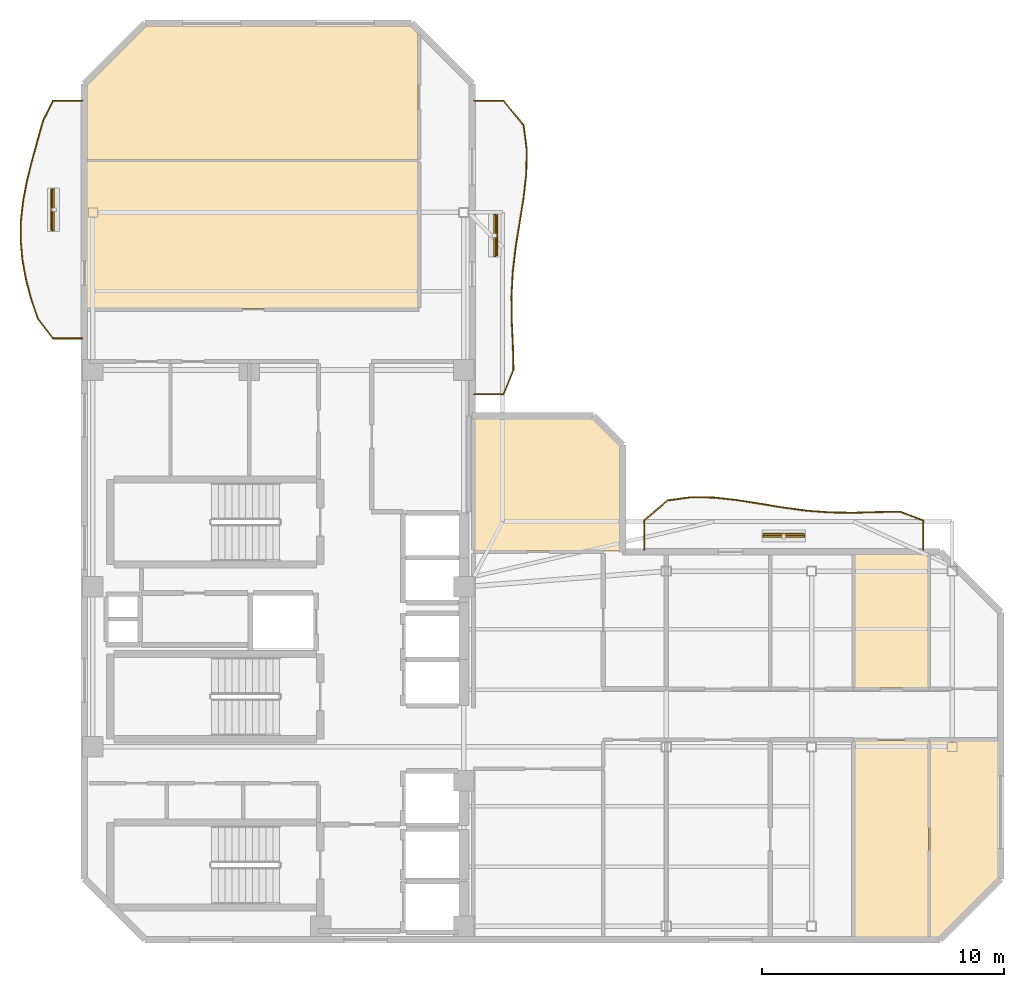
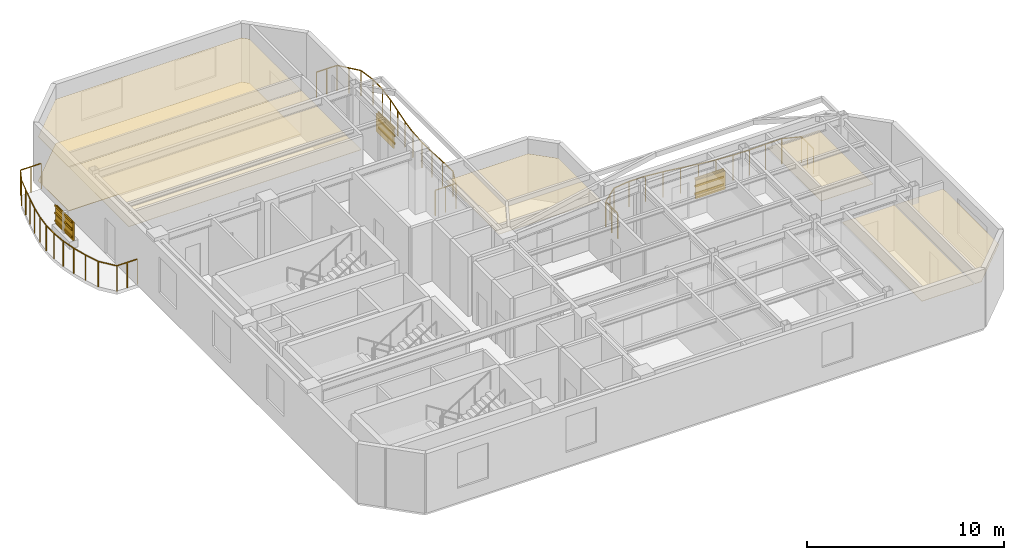
# One storey, part 7 of 7: 12 shading devices, 7 coverings, 3 railings.
"""IFC4 building model written with IfcOpenShell, lengths in metres."""

from ifc_helpers import new_model, si_unit, direction, frame, origin, origin_2d, place, context, subcontext, project, spatial, polyline, rectangle, outline, extrude, material, layer, layer_set, material_profile, profile_set, type_object, element, save


model = new_model("IFC4")

# Units and contexts
model_context = context("Model", 3, precision=1e-05, world=origin(), true_north=direction((0.0, 1.0)))
body_context = subcontext(model_context, "Body", "Model", "MODEL_VIEW")
ifc_project = project(units=[si_unit("LENGTHUNIT", "METRE"), si_unit("AREAUNIT", "SQUARE_METRE"), si_unit("VOLUMEUNIT", "CUBIC_METRE"), si_unit("PLANEANGLEUNIT", "RADIAN"), si_unit("MASSUNIT", "GRAM", prefix="KILO")], contexts=[model_context])

# Site, building, storey
site_placement = place(None, origin())
site = spatial("IfcSite", under=ifc_project, at=site_placement, CompositionType="ELEMENT")
building_placement = place(site_placement, origin())
building = spatial("IfcBuilding", under=site, at=building_placement, Name="Mawjaban Terraces University", CompositionType="ELEMENT")
storey_placement = place(building_placement, frame((0.0, 0.0, 283.300048828125)))
storey = spatial("IfcBuildingStorey", under=building, at=storey_placement, Name="L69", CompositionType="ELEMENT", Elevation=283.300048828125)

# Coverings
ifc_material_1 = material(Name="Acoustic mineral fibre ceiling tile", Category="masonry")
ifc_layer_1 = layer(ifc_material_1, 0.02001953125)
ifc_layer_set_1 = layer_set([ifc_layer_1], Name="Acoustic mineral fibre ceiling tile")
covering_type_1 = type_object("IfcCoveringType", Name="AcousticMineralCeiling_20", PredefinedType="CEILING", material=ifc_layer_set_1)
covering_1_placement = place(storey_placement, frame((0.0, 0.0, 2.75)))
element("IfcCovering", 1, at=covering_1_placement, inside=storey, type_object=covering_type_1, Name="L69 Teaching Laboratory 8 Acoustic Ceiling", PredefinedType="CEILING", context=body_context, shape_type="SweptSolid", body=[
    extrude(outline(polyline([(53.761962890625, 0.114990234375), (56.818115234375, 0.114990234375), (56.818115234375, 8.219970703125), (53.761962890625, 8.219970703125), (53.761962890625, 0.114990234375)])), origin(), (0.0, 0.0, 1.0), 0.02001953125),
])
covering_2_placement = place(storey_placement, frame((0.0, 0.0, 2.75)))
element("IfcCovering", 2, at=covering_2_placement, inside=storey, type_object=covering_type_1, Name="L69 Student Tea Pantry 9 Acoustic Ceiling", PredefinedType="CEILING", context=body_context, shape_type="SweptSolid", body=[
    extrude(outline(polyline([(56.818115234375, 15.885009765625), (53.761962890625, 15.885009765625), (53.761962890625, 10.3798828125), (56.818115234375, 10.3798828125), (56.818115234375, 15.885009765625)])), origin(), (0.0, 0.0, 1.0), 0.02001953125),
])
covering_3_placement = place(storey_placement, frame((0.0, 0.0, 2.75)))
element("IfcCovering", 3, at=covering_3_placement, inside=storey, type_object=covering_type_1, Name="L69 Student Tea Pantry 10 Acoustic Ceiling", PredefinedType="CEILING", context=body_context, shape_type="SweptSolid", body=[
    extrude(outline(polyline([(56.8779296875, 0.114990234375), (57.2529296875, 0.114990234375), (59.68505859375, 2.547119140625), (59.68505859375, 8.219970703125), (56.8779296875, 8.219970703125), (56.8779296875, 0.114990234375)])), origin(), (0.0, 0.0, 1.0), 0.02001953125),
])
covering_4_placement = place(storey_placement, frame((0.0, 0.0, 2.75)))
element("IfcCovering", 4, at=covering_4_placement, inside=storey, type_object=covering_type_1, Name="L69 Departmental Office 12 Acoustic Ceiling", PredefinedType="CEILING", context=body_context, shape_type="SweptSolid", body=[
    extrude(outline(polyline([(22.114990234375, 32.10595703125), (22.114990234375, 26.030029296875), (35.77001953125, 26.030029296875), (35.77001953125, 32.10595703125), (22.114990234375, 32.10595703125)])), origin(), (0.0, 0.0, 1.0), 0.02001953125),
])
covering_5_placement = place(storey_placement, frame((0.0, 0.0, 2.75)))
element("IfcCovering", 5, at=covering_5_placement, inside=storey, type_object=covering_type_1, Name="L69 Classroom 13 Acoustic Ceiling", PredefinedType="CEILING", context=body_context, shape_type="SweptSolid", body=[
    extrude(outline(polyline([(35.77001953125, 37.367919921875), (35.452880859375, 37.68505859375), (24.547119140625, 37.68505859375), (22.114990234375, 35.2529296875), (22.114990234375, 32.166015625), (35.77001953125, 32.166015625), (35.77001953125, 37.367919921875)])), origin(), (0.0, 0.0, 1.0), 0.02001953125),
])
covering_6_placement = place(storey_placement, frame((0.0, 0.0, 2.75)))
element("IfcCovering", 6, at=covering_6_placement, inside=storey, type_object=covering_type_1, Name="L69 Terrace Collaborative Study Room Acoustic Ceiling", PredefinedType="CEILING", context=body_context, shape_type="SweptSolid", body=[
    extrude(outline(polyline([(44.0849609375, 16.030029296875), (44.0849609375, 20.35302734375), (42.952880859375, 21.485107421875), (38.080078125, 21.485107421875), (38.080078125, 16.030029296875), (44.0849609375, 16.030029296875)])), origin(), (0.0, 0.0, 1.0), 0.02001953125),
])

# Railings
ifc_material_2 = material(Name="Galvanised powder-coated steel S355", Category="steel")
railing_type = type_object("IfcRailingType", Name="BalconyBalustrade_1600", PredefinedType="BALUSTRADE", material=ifc_material_2)
railing_1_placement = place(storey_placement, frame((21.919921875, 24.800048828125, 0.0)))
element("IfcRailing", 7, at=railing_1_placement, inside=storey, type_object=railing_type, Name="L69 Balcony Guardrail west", PredefinedType="BALUSTRADE", context=body_context, shape_type="SweptSolid", body=[
    extrude(rectangle(XDim=0.048095703125, YDim=0.048095703125, at=origin_2d()), frame((0.0, 0.0, 1.576171875), z_axis=(-1.0, 0.0, 0.0), x_axis=(0.0, -1.0, 0.0)), (0.0, 0.0, 1.0), 1.219970703125),
    extrude(rectangle(XDim=0.048095703125, YDim=0.048095703125, at=origin_2d()), frame((-1.219970703125, 0.0, 1.576171875), z_axis=(-0.607643916951, 0.794209588328, 0.0), x_axis=(-0.794209588328, -0.607643916951, 0.0)), (0.0, 0.0, 1.0), 1.028564453125),
    extrude(rectangle(XDim=0.048095703125, YDim=0.048095703125, at=origin_2d()), frame((-1.844970703125, 0.81689453125, 1.576171875), z_axis=(-0.319202789652, 0.947686434998, 0.0), x_axis=(-0.947686434998, -0.319202789652, 0.0)), (0.0, 0.0, 1.0), 0.861328125),
    extrude(rectangle(XDim=0.048095703125, YDim=0.048095703125, at=origin_2d()), frame((-2.119873046875, 1.633056640625, 1.576171875), z_axis=(-0.254621331748, 0.967040835445, 0.0), x_axis=(-0.967040835445, -0.254621331748, 0.0)), (0.0, 0.0, 1.0), 0.8447265625),
    extrude(rectangle(XDim=0.048095703125, YDim=0.048095703125, at=origin_2d()), frame((-2.3349609375, 2.449951171875, 1.576171875), z_axis=(-0.179351143094, 0.983785122611, 0.0), x_axis=(-0.983785122611, -0.179351143094, 0.0)), (0.0, 0.0, 1.0), 0.830322265625),
    extrude(rectangle(XDim=0.048095703125, YDim=0.048095703125, at=origin_2d()), frame((-2.48388671875, 3.266845703125, 1.576171875), z_axis=(-0.084352789258, 0.996435952254, 0.0), x_axis=(-0.996435952254, -0.084352789258, 0.0)), (0.0, 0.0, 1.0), 0.819091796875),
    extrude(rectangle(XDim=0.048095703125, YDim=0.048095703125, at=origin_2d()), frame((-2.552978515625, 4.0830078125, 1.576171875), z_axis=(0.017331526681, 0.999849797811, 0.0), x_axis=(-0.999849797811, 0.017331526681, 0.0)), (0.0, 0.0, 1.0), 0.817138671875),
    extrude(rectangle(XDim=0.048095703125, YDim=0.048095703125, at=origin_2d()), frame((-2.538818359375, 4.89990234375, 1.576171875), z_axis=(0.115446380199, 0.993313713435, 0.0), x_axis=(-0.993313713435, 0.115446380199, 0.0)), (0.0, 0.0, 1.0), 0.82275390625),
    extrude(rectangle(XDim=0.048095703125, YDim=0.048095703125, at=origin_2d()), frame((-2.44384765625, 5.717041015625, 1.576171875), z_axis=(0.191199817075, 0.981551134659, 0.0), x_axis=(-0.981551134659, 0.191199817075, 0.0)), (0.0, 0.0, 1.0), 0.831298828125),
    extrude(rectangle(XDim=0.048095703125, YDim=0.048095703125, at=origin_2d()), frame((-2.284912109375, 6.532958984375, 1.576171875), z_axis=(0.24239917503, 0.970176602452, 0.0), x_axis=(-0.970176602452, 0.24239917503, 0.0)), (0.0, 0.0, 1.0), 0.842041015625),
    extrude(rectangle(XDim=0.048095703125, YDim=0.048095703125, at=origin_2d()), frame((-2.080810546875, 7.349853515625, 1.576171875), z_axis=(0.265310472902, 0.964163032359, 0.0), x_axis=(-0.964163032359, 0.265310472902, 0.0)), (0.0, 0.0, 1.0), 0.847412109375),
    extrude(rectangle(XDim=0.048095703125, YDim=0.048095703125, at=origin_2d()), frame((-1.85595703125, 8.1669921875, 1.576171875), z_axis=(0.270228279677, 0.962796280042, 0.0), x_axis=(-0.962796280042, 0.270228279677, 0.0)), (0.0, 0.0, 1.0), 0.847412109375),
    extrude(rectangle(XDim=0.048095703125, YDim=0.048095703125, at=origin_2d()), frame((-1.626953125, 8.98291015625, 1.576171875), z_axis=(0.445822367278, 0.895121453678, 0.0), x_axis=(-0.895121453678, 0.445822367278, 0.0)), (0.0, 0.0, 1.0), 0.912841796875),
    extrude(rectangle(XDim=0.048095703125, YDim=0.048095703125, at=origin_2d()), frame((-1.219970703125, 9.800048828125, 1.576171875), z_axis=(1.0, 0.0, 0.0), x_axis=(0.0, 1.0, 0.0)), (0.0, 0.0, 1.0), 1.219970703125),
    extrude(rectangle(XDim=0.0419921875, YDim=0.0419921875, at=origin_2d()), origin(), (0.0, 0.0, 1.0), 1.552001953125),
    extrude(rectangle(XDim=0.0419921875, YDim=0.0419921875, at=origin_2d()), frame((-0.60986328125, 0.0, 0.0)), (0.0, 0.0, 1.0), 1.552001953125),
    extrude(rectangle(XDim=0.0419921875, YDim=0.0419921875, at=origin_2d()), frame((-1.219970703125, 0.0, 0.0)), (0.0, 0.0, 1.0), 1.552001953125),
    extrude(rectangle(XDim=0.0419921875, YDim=0.0419921875, at=origin_2d()), frame((-1.844970703125, 0.81689453125, 0.0)), (0.0, 0.0, 1.0), 1.552001953125),
    extrude(rectangle(XDim=0.0419921875, YDim=0.0419921875, at=origin_2d()), frame((-2.119873046875, 1.633056640625, 0.0)), (0.0, 0.0, 1.0), 1.552001953125),
    extrude(rectangle(XDim=0.0419921875, YDim=0.0419921875, at=origin_2d()), frame((-2.3349609375, 2.449951171875, 0.0)), (0.0, 0.0, 1.0), 1.552001953125),
    extrude(rectangle(XDim=0.0419921875, YDim=0.0419921875, at=origin_2d()), frame((-2.48388671875, 3.266845703125, 0.0)), (0.0, 0.0, 1.0), 1.552001953125),
    extrude(rectangle(XDim=0.0419921875, YDim=0.0419921875, at=origin_2d()), frame((-2.552978515625, 4.0830078125, 0.0)), (0.0, 0.0, 1.0), 1.552001953125),
    extrude(rectangle(XDim=0.0419921875, YDim=0.0419921875, at=origin_2d()), frame((-2.538818359375, 4.89990234375, 0.0)), (0.0, 0.0, 1.0), 1.552001953125),
    extrude(rectangle(XDim=0.0419921875, YDim=0.0419921875, at=origin_2d()), frame((-2.44384765625, 5.717041015625, 0.0)), (0.0, 0.0, 1.0), 1.552001953125),
    extrude(rectangle(XDim=0.0419921875, YDim=0.0419921875, at=origin_2d()), frame((-2.284912109375, 6.532958984375, 0.0)), (0.0, 0.0, 1.0), 1.552001953125),
    extrude(rectangle(XDim=0.0419921875, YDim=0.0419921875, at=origin_2d()), frame((-2.080810546875, 7.349853515625, 0.0)), (0.0, 0.0, 1.0), 1.552001953125),
    extrude(rectangle(XDim=0.0419921875, YDim=0.0419921875, at=origin_2d()), frame((-1.85595703125, 8.1669921875, 0.0)), (0.0, 0.0, 1.0), 1.552001953125),
    extrude(rectangle(XDim=0.0419921875, YDim=0.0419921875, at=origin_2d()), frame((-1.626953125, 8.98291015625, 0.0)), (0.0, 0.0, 1.0), 1.552001953125),
    extrude(rectangle(XDim=0.0419921875, YDim=0.0419921875, at=origin_2d()), frame((-1.219970703125, 9.800048828125, 0.0)), (0.0, 0.0, 1.0), 1.552001953125),
    extrude(rectangle(XDim=0.0419921875, YDim=0.0419921875, at=origin_2d()), frame((-0.60986328125, 9.800048828125, 0.0)), (0.0, 0.0, 1.0), 1.552001953125),
    extrude(rectangle(XDim=0.0419921875, YDim=0.0419921875, at=origin_2d()), frame((0.0, 9.800048828125, 0.0)), (0.0, 0.0, 1.0), 1.552001953125),
])
railing_2_placement = place(storey_placement, frame((45.10009765625, 16.080078125, 0.0)))
element("IfcRailing", 8, at=railing_2_placement, inside=storey, type_object=railing_type, Name="L69 Balcony Guardrail inner_north", PredefinedType="BALUSTRADE", context=body_context, shape_type="SweptSolid", body=[
    extrude(rectangle(XDim=0.048095703125, YDim=0.048095703125, at=origin_2d()), frame((0.0, 0.0, 1.576171875), z_axis=(0.0, 1.0, 0.0), x_axis=(-1.0, 0.0, 0.0)), (0.0, 0.0, 1.0), 1.219970703125),
    extrude(rectangle(XDim=0.048095703125, YDim=0.048095703125, at=origin_2d()), frame((0.0, 1.219970703125, 1.576171875), z_axis=(0.760158380874, 0.649737820961, 0.0), x_axis=(-0.649737820961, 0.760158380874, 0.0)), (0.0, 0.0, 1.0), 1.26025390625),
    extrude(rectangle(XDim=0.048095703125, YDim=0.048095703125, at=origin_2d()), frame((0.9580078125, 2.038818359375, 1.576171875), z_axis=(0.990511352729, 0.137430928523, 0.0), x_axis=(-0.137430928523, 0.990511352729, 0.0)), (0.0, 0.0, 1.0), 0.96826171875),
    extrude(rectangle(XDim=0.048095703125, YDim=0.048095703125, at=origin_2d()), frame((1.9169921875, 2.171875, 1.576171875), z_axis=(0.999908798007, -0.013505394061, 0.0), x_axis=(0.013505394061, 0.999908798007, 0.0)), (0.0, 0.0, 1.0), 0.9580078125),
    extrude(rectangle(XDim=0.048095703125, YDim=0.048095703125, at=origin_2d()), frame((2.875, 2.158935546875, 1.576171875), z_axis=(0.994049424747, -0.108929982834, 0.0), x_axis=(0.108929982834, 0.994049424747, 0.0)), (0.0, 0.0, 1.0), 0.963623046875),
    extrude(rectangle(XDim=0.048095703125, YDim=0.048095703125, at=origin_2d()), frame((3.8330078125, 2.053955078125, 1.576171875), z_axis=(0.987498610793, -0.157627705949, 0.0), x_axis=(0.157627705949, 0.987498610793, 0.0)), (0.0, 0.0, 1.0), 0.97119140625),
    extrude(rectangle(XDim=0.048095703125, YDim=0.048095703125, at=origin_2d()), frame((4.7919921875, 1.90087890625, 1.576171875), z_axis=(0.986677863453, -0.162686181869, 0.0), x_axis=(0.162686181869, 0.986677863453, 0.0)), (0.0, 0.0, 1.0), 0.970947265625),
    extrude(rectangle(XDim=0.048095703125, YDim=0.048095703125, at=origin_2d()), frame((5.75, 1.742919921875, 1.576171875), z_axis=(0.991333489884, -0.131369371748, 0.0), x_axis=(0.131369371748, 0.991333489884, 0.0)), (0.0, 0.0, 1.0), 0.96630859375),
    extrude(rectangle(XDim=0.048095703125, YDim=0.048095703125, at=origin_2d()), frame((6.7080078125, 1.615966796875, 1.576171875), z_axis=(0.99726706168, -0.073881037411, 0.0), x_axis=(0.073881037411, 0.99726706168, 0.0)), (0.0, 0.0, 1.0), 0.961669921875),
    extrude(rectangle(XDim=0.048095703125, YDim=0.048095703125, at=origin_2d()), frame((7.6669921875, 1.544921875, 1.576171875), z_axis=(0.999908798007, -0.013505394061, 0.0), x_axis=(0.013505394061, 0.999908798007, 0.0)), (0.0, 0.0, 1.0), 0.9580078125),
    extrude(rectangle(XDim=0.048095703125, YDim=0.048095703125, at=origin_2d()), frame((8.625, 1.531982421875, 1.576171875), z_axis=(0.999607317535, 0.028021611857, 0.0), x_axis=(-0.028021611857, 0.999607317535, 0.0)), (0.0, 0.0, 1.0), 0.95849609375),
    extrude(rectangle(XDim=0.048095703125, YDim=0.048095703125, at=origin_2d()), frame((9.5830078125, 1.558837890625, 1.576171875), z_axis=(0.999858868821, 0.016800072643, 0.0), x_axis=(-0.016800072643, 0.999858868821, 0.0)), (0.0, 0.0, 1.0), 0.959228515625),
    extrude(rectangle(XDim=0.048095703125, YDim=0.048095703125, at=origin_2d()), frame((10.5419921875, 1.574951171875, 1.576171875), z_axis=(0.93769686411, -0.347454444551, 0.0), x_axis=(0.347454444551, 0.93769686411, 0.0)), (0.0, 0.0, 1.0), 1.021728515625),
    extrude(rectangle(XDim=0.048095703125, YDim=0.048095703125, at=origin_2d()), frame((11.5, 1.219970703125, 1.576171875), z_axis=(0.0, -1.0, 0.0), x_axis=(1.0, 0.0, 0.0)), (0.0, 0.0, 1.0), 1.219970703125),
    extrude(rectangle(XDim=0.0419921875, YDim=0.0419921875, at=origin_2d()), origin(), (0.0, 0.0, 1.0), 1.552001953125),
    extrude(rectangle(XDim=0.0419921875, YDim=0.0419921875, at=origin_2d()), frame((0.0, 0.60986328125, 0.0)), (0.0, 0.0, 1.0), 1.552001953125),
    extrude(rectangle(XDim=0.0419921875, YDim=0.0419921875, at=origin_2d()), frame((0.0, 1.219970703125, 0.0)), (0.0, 0.0, 1.0), 1.552001953125),
    extrude(rectangle(XDim=0.0419921875, YDim=0.0419921875, at=origin_2d()), frame((0.47900390625, 1.62939453125, 0.0)), (0.0, 0.0, 1.0), 1.552001953125),
    extrude(rectangle(XDim=0.0419921875, YDim=0.0419921875, at=origin_2d()), frame((0.9580078125, 2.038818359375, 0.0)), (0.0, 0.0, 1.0), 1.552001953125),
    extrude(rectangle(XDim=0.0419921875, YDim=0.0419921875, at=origin_2d()), frame((1.9169921875, 2.171875, 0.0)), (0.0, 0.0, 1.0), 1.552001953125),
    extrude(rectangle(XDim=0.0419921875, YDim=0.0419921875, at=origin_2d()), frame((2.875, 2.158935546875, 0.0)), (0.0, 0.0, 1.0), 1.552001953125),
    extrude(rectangle(XDim=0.0419921875, YDim=0.0419921875, at=origin_2d()), frame((3.8330078125, 2.053955078125, 0.0)), (0.0, 0.0, 1.0), 1.552001953125),
    extrude(rectangle(XDim=0.0419921875, YDim=0.0419921875, at=origin_2d()), frame((4.7919921875, 1.90087890625, 0.0)), (0.0, 0.0, 1.0), 1.552001953125),
    extrude(rectangle(XDim=0.0419921875, YDim=0.0419921875, at=origin_2d()), frame((5.75, 1.742919921875, 0.0)), (0.0, 0.0, 1.0), 1.552001953125),
    extrude(rectangle(XDim=0.0419921875, YDim=0.0419921875, at=origin_2d()), frame((6.7080078125, 1.615966796875, 0.0)), (0.0, 0.0, 1.0), 1.552001953125),
    extrude(rectangle(XDim=0.0419921875, YDim=0.0419921875, at=origin_2d()), frame((7.6669921875, 1.544921875, 0.0)), (0.0, 0.0, 1.0), 1.552001953125),
    extrude(rectangle(XDim=0.0419921875, YDim=0.0419921875, at=origin_2d()), frame((8.625, 1.531982421875, 0.0)), (0.0, 0.0, 1.0), 1.552001953125),
    extrude(rectangle(XDim=0.0419921875, YDim=0.0419921875, at=origin_2d()), frame((9.5830078125, 1.558837890625, 0.0)), (0.0, 0.0, 1.0), 1.552001953125),
    extrude(rectangle(XDim=0.0419921875, YDim=0.0419921875, at=origin_2d()), frame((10.5419921875, 1.574951171875, 0.0)), (0.0, 0.0, 1.0), 1.552001953125),
    extrude(rectangle(XDim=0.0419921875, YDim=0.0419921875, at=origin_2d()), frame((11.5, 1.219970703125, 0.0)), (0.0, 0.0, 1.0), 1.552001953125),
    extrude(rectangle(XDim=0.0419921875, YDim=0.0419921875, at=origin_2d()), frame((11.5, 0.60986328125, 0.0)), (0.0, 0.0, 1.0), 1.552001953125),
    extrude(rectangle(XDim=0.0419921875, YDim=0.0419921875, at=origin_2d()), frame((11.5, 0.0, 0.0)), (0.0, 0.0, 1.0), 1.552001953125),
])
railing_3_placement = place(storey_placement, frame((38.080078125, 22.5, 0.0)))
element("IfcRailing", 9, at=railing_3_placement, inside=storey, type_object=railing_type, Name="L69 Balcony Guardrail inner_east", PredefinedType="BALUSTRADE", context=body_context, shape_type="SweptSolid", body=[
    extrude(rectangle(XDim=0.048095703125, YDim=0.048095703125, at=origin_2d()), frame((0.0, 0.0, 1.576171875), z_axis=(1.0, 0.0, 0.0), x_axis=(0.0, 1.0, 0.0)), (0.0, 0.0, 1.0), 1.219970703125),
    extrude(rectangle(XDim=0.048095703125, YDim=0.048095703125, at=origin_2d()), frame((1.219970703125, 0.0, 1.576171875), z_axis=(0.372049489107, 0.928212894575, 0.0), x_axis=(-0.928212894575, 0.372049489107, 0.0)), (0.0, 0.0, 1.0), 1.0859375),
    extrude(rectangle(XDim=0.048095703125, YDim=0.048095703125, at=origin_2d()), frame((1.6240234375, 1.008056640625, 1.576171875), z_axis=(-0.024913629218, 0.999689607368, 0.0), x_axis=(-0.999689607368, -0.024913629218, 0.0)), (0.0, 0.0, 1.0), 1.00927734375),
    extrude(rectangle(XDim=0.048095703125, YDim=0.048095703125, at=origin_2d()), frame((1.598876953125, 2.01708984375, 1.576171875), z_axis=(-0.047427190102, 0.998874697667, 0.0), x_axis=(-0.998874697667, -0.047427190102, 0.0)), (0.0, 0.0, 1.0), 1.009033203125),
    extrude(rectangle(XDim=0.048095703125, YDim=0.048095703125, at=origin_2d()), frame((1.551025390625, 3.02490234375, 1.576171875), z_axis=(-0.009929275574, 0.999950703528, 0.0), x_axis=(-0.999950703528, -0.009929275574, 0.0)), (0.0, 0.0, 1.0), 1.008056640625),
    extrude(rectangle(XDim=0.048095703125, YDim=0.048095703125, at=origin_2d()), frame((1.541015625, 4.032958984375, 1.576171875), z_axis=(0.053395772473, 0.998573428187, 0.0), x_axis=(-0.998573428187, 0.053395772473, 0.0)), (0.0, 0.0, 1.0), 1.010498046875),
    extrude(rectangle(XDim=0.048095703125, YDim=0.048095703125, at=origin_2d()), frame((1.594970703125, 5.0419921875, 1.576171875), z_axis=(0.116185253501, 0.993227560466, 0.0), x_axis=(-0.993227560466, 0.116185253501, 0.0)), (0.0, 0.0, 1.0), 1.014892578125),
    extrude(rectangle(XDim=0.048095703125, YDim=0.048095703125, at=origin_2d()), frame((1.712890625, 6.050048828125, 1.576171875), z_axis=(0.156674956269, 0.987650220512, 0.0), x_axis=(-0.987650220512, 0.156674956269, 0.0)), (0.0, 0.0, 1.0), 1.020751953125),
    extrude(rectangle(XDim=0.048095703125, YDim=0.048095703125, at=origin_2d()), frame((1.872802734375, 7.05810546875, 1.576171875), z_axis=(0.158661457392, 0.987333045096, 0.0), x_axis=(-0.987333045096, 0.158661457392, 0.0)), (0.0, 0.0, 1.0), 1.021728515625),
    extrude(rectangle(XDim=0.048095703125, YDim=0.048095703125, at=origin_2d()), frame((2.034912109375, 8.06689453125, 1.576171875), z_axis=(0.114286204072, 0.993447866553, 0.0), x_axis=(-0.993447866553, 0.114286204072, 0.0)), (0.0, 0.0, 1.0), 1.0146484375),
    extrude(rectangle(XDim=0.048095703125, YDim=0.048095703125, at=origin_2d()), frame((2.15087890625, 9.074951171875, 1.576171875), z_axis=(0.020823771352, 0.999783161764, 0.0), x_axis=(-0.999783161764, 0.020823771352, 0.0)), (0.0, 0.0, 1.0), 1.00830078125),
    extrude(rectangle(XDim=0.048095703125, YDim=0.048095703125, at=origin_2d()), frame((2.171875, 10.0830078125, 1.576171875), z_axis=(-0.128610838483, 0.991695140769, 0.0), x_axis=(-0.991695140769, -0.128610838483, 0.0)), (0.0, 0.0, 1.0), 1.017578125),
    extrude(rectangle(XDim=0.048095703125, YDim=0.048095703125, at=origin_2d()), frame((2.041015625, 11.092041015625, 1.576171875), z_axis=(-0.63151828367, 0.775360985213, 0.0), x_axis=(-0.775360985213, -0.63151828367, 0.0)), (0.0, 0.0, 1.0), 1.300048828125),
    extrude(rectangle(XDim=0.048095703125, YDim=0.048095703125, at=origin_2d()), frame((1.219970703125, 12.10009765625, 1.576171875), z_axis=(-1.0, 0.0, 0.0), x_axis=(0.0, -1.0, 0.0)), (0.0, 0.0, 1.0), 1.219970703125),
    extrude(rectangle(XDim=0.0419921875, YDim=0.0419921875, at=origin_2d()), origin(), (0.0, 0.0, 1.0), 1.552001953125),
    extrude(rectangle(XDim=0.0419921875, YDim=0.0419921875, at=origin_2d()), frame((0.60986328125, 0.0, 0.0)), (0.0, 0.0, 1.0), 1.552001953125),
    extrude(rectangle(XDim=0.0419921875, YDim=0.0419921875, at=origin_2d()), frame((1.219970703125, 0.0, 0.0)), (0.0, 0.0, 1.0), 1.552001953125),
    extrude(rectangle(XDim=0.0419921875, YDim=0.0419921875, at=origin_2d()), frame((1.6240234375, 1.008056640625, 0.0)), (0.0, 0.0, 1.0), 1.552001953125),
    extrude(rectangle(XDim=0.0419921875, YDim=0.0419921875, at=origin_2d()), frame((1.598876953125, 2.01708984375, 0.0)), (0.0, 0.0, 1.0), 1.552001953125),
    extrude(rectangle(XDim=0.0419921875, YDim=0.0419921875, at=origin_2d()), frame((1.551025390625, 3.02490234375, 0.0)), (0.0, 0.0, 1.0), 1.552001953125),
    extrude(rectangle(XDim=0.0419921875, YDim=0.0419921875, at=origin_2d()), frame((1.541015625, 4.032958984375, 0.0)), (0.0, 0.0, 1.0), 1.552001953125),
    extrude(rectangle(XDim=0.0419921875, YDim=0.0419921875, at=origin_2d()), frame((1.594970703125, 5.0419921875, 0.0)), (0.0, 0.0, 1.0), 1.552001953125),
    extrude(rectangle(XDim=0.0419921875, YDim=0.0419921875, at=origin_2d()), frame((1.712890625, 6.050048828125, 0.0)), (0.0, 0.0, 1.0), 1.552001953125),
    extrude(rectangle(XDim=0.0419921875, YDim=0.0419921875, at=origin_2d()), frame((1.872802734375, 7.05810546875, 0.0)), (0.0, 0.0, 1.0), 1.552001953125),
    extrude(rectangle(XDim=0.0419921875, YDim=0.0419921875, at=origin_2d()), frame((2.034912109375, 8.06689453125, 0.0)), (0.0, 0.0, 1.0), 1.552001953125),
    extrude(rectangle(XDim=0.0419921875, YDim=0.0419921875, at=origin_2d()), frame((2.15087890625, 9.074951171875, 0.0)), (0.0, 0.0, 1.0), 1.552001953125),
    extrude(rectangle(XDim=0.0419921875, YDim=0.0419921875, at=origin_2d()), frame((2.171875, 10.0830078125, 0.0)), (0.0, 0.0, 1.0), 1.552001953125),
    extrude(rectangle(XDim=0.0419921875, YDim=0.0419921875, at=origin_2d()), frame((2.041015625, 11.092041015625, 0.0)), (0.0, 0.0, 1.0), 1.552001953125),
    extrude(rectangle(XDim=0.0419921875, YDim=0.0419921875, at=origin_2d()), frame((1.63037109375, 11.59619140625, 0.0)), (0.0, 0.0, 1.0), 1.552001953125),
    extrude(rectangle(XDim=0.0419921875, YDim=0.0419921875, at=origin_2d()), frame((1.219970703125, 12.10009765625, 0.0)), (0.0, 0.0, 1.0), 1.552001953125),
    extrude(rectangle(XDim=0.0419921875, YDim=0.0419921875, at=origin_2d()), frame((0.60986328125, 12.10009765625, 0.0)), (0.0, 0.0, 1.0), 1.552001953125),
    extrude(rectangle(XDim=0.0419921875, YDim=0.0419921875, at=origin_2d()), frame((0.0, 12.10009765625, 0.0)), (0.0, 0.0, 1.0), 1.552001953125),
])

# Shading devices
ifc_material_3 = material(Name="Glazed architectural terracotta ceramic", Category="masonry")
ifc_material_profile = material_profile(ifc_material_3, rectangle(XDim=0.06494140625, YDim=0.110107421875, at=origin_2d()), Name="TBAG110X65")
ifc_profile_set = profile_set([ifc_material_profile], Name="Glazed architectural terracotta ceramic")
shading_device_type_1 = type_object("IfcShadingDeviceType", Name="TerracottaBaguette_110x65", PredefinedType="USERDEFINED", material=ifc_profile_set)
for number, where, z_axis, x_axis, name in (
    (10, (20.634033203125, 29.258056640625, 0.679931640625), (0.0, 1.0, 0.0), (-1.0, 0.0, 0.0), "L69 Horizontal Terracotta Baguette west.1"),
    (11, (20.634033203125, 29.258056640625, 1.14990234375), (0.0, 1.0, 0.0), (-1.0, 0.0, 0.0), "L69 Horizontal Terracotta Baguette west.2"),
    (12, (20.634033203125, 29.258056640625, 1.619873046875), (0.0, 1.0, 0.0), (-1.0, 0.0, 0.0), "L69 Horizontal Terracotta Baguette west.3"),
    (13, (50.0, 16.72998046875, 0.679931640625), (1.0, 0.0, 0.0), (0.0, 1.0, 0.0), "L69 Horizontal Terracotta Baguette inner_north.1"),
    (14, (50.0, 16.72998046875, 1.14990234375), (1.0, 0.0, 0.0), (0.0, 1.0, 0.0), "L69 Horizontal Terracotta Baguette inner_north.2"),
    (15, (50.0, 16.72998046875, 1.619873046875), (1.0, 0.0, 0.0), (0.0, 1.0, 0.0), "L69 Horizontal Terracotta Baguette inner_north.3"),
    (16, (39.01611328125, 28.2041015625, 0.679931640625), (0.0, 1.0, 0.0), (-1.0, 0.0, 0.0), "L69 Horizontal Terracotta Baguette inner_east.1"),
    (17, (39.01611328125, 28.2041015625, 1.14990234375), (0.0, 1.0, 0.0), (-1.0, 0.0, 0.0), "L69 Horizontal Terracotta Baguette inner_east.2"),
    (18, (39.01611328125, 28.2041015625, 1.619873046875), (0.0, 1.0, 0.0), (-1.0, 0.0, 0.0), "L69 Horizontal Terracotta Baguette inner_east.3"),
):
    element("IfcShadingDevice", number, at=place(storey_placement, frame(where, z_axis=z_axis, x_axis=x_axis)), inside=storey, type_object=shading_device_type_1, Name=name, ObjectType="BAGUETTE", PredefinedType="USERDEFINED", context=body_context, shape_type="SweptSolid", body=[
        extrude(rectangle(XDim=0.06494140625, YDim=0.110107421875, at=origin_2d()), origin(), (0.0, 0.0, 1.0), 1.699951171875),
    ])
ifc_layer_2 = layer(ifc_material_3, 0.080078125)
ifc_layer_set_2 = layer_set([ifc_layer_2], Name="Glazed architectural terracotta ceramic")
shading_device_type_2 = type_object("IfcShadingDeviceType", Name="TerracottaScreen_Perforated", PredefinedType="USERDEFINED", material=ifc_layer_set_2)
for number, where, z_axis, x_axis, name in (
    (19, (20.718994140625, 30.10791015625, 0.43994140625), (0.0, 0.0, 1.0), (0.0, 1.0, 0.0), "L69 Balcony Perforated Terracotta Screen west"),
    (20, (50.85009765625, 16.64501953125, 0.43994140625), (0.0, 0.0, 1.0), (1.0, 0.0, 0.0), "L69 Balcony Perforated Terracotta Screen inner_north"),
    (21, (38.930908203125, 29.053955078125, 0.43994140625), (0.0, 0.0, 1.0), (0.0, 1.0, 0.0), "L69 Balcony Perforated Terracotta Screen inner_east"),
):
    element("IfcShadingDevice", number, at=place(storey_placement, frame(where, z_axis=z_axis, x_axis=x_axis)), inside=storey, type_object=shading_device_type_2, Name=name, ObjectType="SCREEN", PredefinedType="USERDEFINED", context=body_context, shape_type="SweptSolid", body=[
        extrude(rectangle(XDim=1.75, YDim=0.080078125, at=origin_2d()), origin(), (0.0, 0.0, 1.0), 1.14990234375),
    ])

# Covering
ifc_material_4 = material(Name="Polished Hijazi granite terrazzo flooring", Category="masonry")
ifc_layer_3 = layer(ifc_material_4, 0.02490234375)
ifc_layer_set_3 = layer_set([ifc_layer_3], Name="Polished Hijazi granite terrazzo flooring")
covering_type_2 = type_object("IfcCoveringType", Name="TerrazzoConcourseFlooring_25", PredefinedType="FLOORING", material=ifc_layer_set_3)
covering_7_placement = place(storey_placement, origin())
element("IfcCovering", 22, at=covering_7_placement, inside=storey, type_object=covering_type_2, Name="L69 Classroom 13 Terrazzo Flooring", PredefinedType="FLOORING", context=body_context, shape_type="SweptSolid", body=[
    extrude(outline(polyline([(35.77001953125, 37.367919921875), (35.452880859375, 37.68505859375), (24.547119140625, 37.68505859375), (22.114990234375, 35.2529296875), (22.114990234375, 32.166015625), (35.77001953125, 32.166015625), (35.77001953125, 37.367919921875)])), origin(), (0.0, 0.0, 1.0), 0.02490234375),
])

save(model, "model.ifc")
